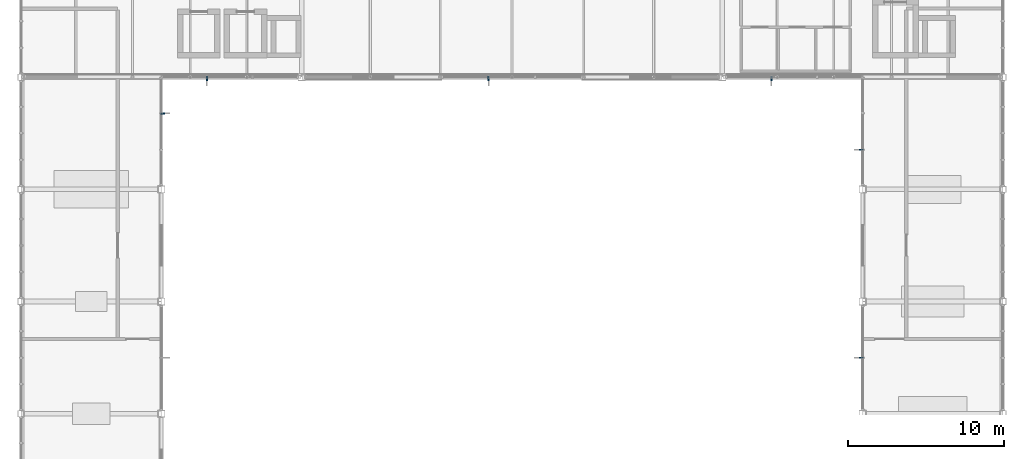
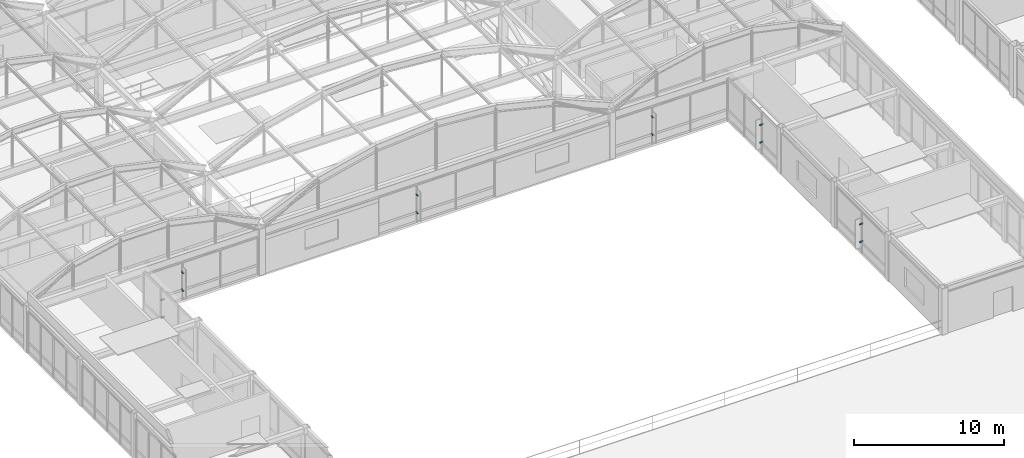
# One storey, part 95 of 106: 12 discrete accessories.
"""IFC4 building model written with IfcOpenShell, lengths in metres."""

import ifcopenshell
import ifcopenshell.guid

model = None  # the IFC model being written
_history = None  # IfcOwnerHistory: only IFC2X3 demands one
_inside = {}  # id of a spatial element -> (the spatial element, [elements in it])
_under = {}  # id of a project, library or spatial element -> (it, [spatial elements below it])
_declared = {}  # id of a project -> (the project, [libraries it declares])
_typed = {}  # id of a type object -> (the type object, [elements of that type])
_made_of = {}  # id of a material, layer set ... -> (it, [elements and type objects made of it])


def new_model(schema):
    """Start an empty IFC model of exactly this schema.

    Asked for "IFC4X3", IfcOpenShell would pick the latest addendum, in which some entities
    have other attributes; the version numbers below select the first issue.
    IFC2X3 requires an IfcOwnerHistory on every rooted entity: one is made here for all.
    """
    global model, _history
    if schema == "IFC4X3":
        model = ifcopenshell.file(schema_version=(4, 3, 0, 0))
    else:
        model = ifcopenshell.file(schema=schema)
    _inside.clear()
    _under.clear()
    _declared.clear()
    _typed.clear()
    _made_of.clear()
    _history = None
    if model.schema == "IFC2X3":
        org = make("IfcOrganization", Name="unknown")
        user = make(
            "IfcPersonAndOrganization",
            ThePerson=make("IfcPerson", FamilyName="unknown"),
            TheOrganization=org,
        )
        app = make(
            "IfcApplication",
            ApplicationDeveloper=org,
            Version="unknown",
            ApplicationFullName="unknown",
            ApplicationIdentifier="unknown",
        )
        _history = make(
            "IfcOwnerHistory",
            OwningUser=user,
            OwningApplication=app,
            ChangeAction="ADDED",
            CreationDate=0,
        )
    return model


def make(cls, **values):
    """One entity of the class cls with the attributes given. An attribute that is None is left unset."""
    return model.create_entity(
        cls, **{name: value for name, value in values.items() if value is not None}
    )


def rooted(cls, **values):
    """An entity with a GlobalId (a new one), such as an element, a storey or a relation."""
    return make(cls, GlobalId=ifcopenshell.guid.new(), OwnerHistory=_history, **values)


def si_unit(unit_type, name, prefix=None):
    """IfcSIUnit, for example si_unit("LENGTHUNIT", "METRE", prefix="MILLI")."""
    return make("IfcSIUnit", UnitType=unit_type, Prefix=prefix, Name=name)


def assignment(units):
    """IfcUnitAssignment: the units of a project."""
    return None if units is None else make("IfcUnitAssignment", Units=units)


def point(xyz):
    """IfcCartesianPoint."""
    return None if xyz is None else make("IfcCartesianPoint", Coordinates=xyz)


def direction(xyz):
    """IfcDirection."""
    return None if xyz is None else make("IfcDirection", DirectionRatios=xyz)


def frame(location, z_axis=None, x_axis=None):
    """IfcAxis2Placement3D, a coordinate frame: its origin and axes. An axis left out is left unset."""
    return make(
        "IfcAxis2Placement3D",
        Location=point(location),
        Axis=direction(z_axis),
        RefDirection=direction(x_axis),
    )


def frame_2d(location, x_axis=None):
    """IfcAxis2Placement2D, a coordinate frame in the plane: its origin and x axis."""
    return make(
        "IfcAxis2Placement2D", Location=point(location), RefDirection=direction(x_axis)
    )


def origin():
    """The frame at (0, 0, 0) with its axes left unset."""
    return frame((0.0, 0.0, 0.0))


def origin_2d():
    """The frame at (0, 0) in the plane with its x axis left unset."""
    return frame_2d((0.0, 0.0))


def place(relative_to, where):
    """IfcLocalPlacement: puts the frame where relative to a parent placement (None: the world)."""
    return make(
        "IfcLocalPlacement", PlacementRelTo=relative_to, RelativePlacement=where
    )


def context(
    kind, dimensions, precision=None, world=None, true_north=None, identifier=None
):
    """IfcGeometricRepresentationContext, for example the 3D "Model" context."""
    return make(
        "IfcGeometricRepresentationContext",
        ContextIdentifier=identifier,
        ContextType=kind,
        CoordinateSpaceDimension=dimensions,
        Precision=precision,
        WorldCoordinateSystem=world,
        TrueNorth=true_north,
    )


def subcontext(parent, identifier, kind, view, scale=None):
    """IfcGeometricRepresentationSubContext, for example "Body" below "Model"."""
    return make(
        "IfcGeometricRepresentationSubContext",
        ContextIdentifier=identifier,
        ContextType=kind,
        ParentContext=parent,
        TargetScale=scale,
        TargetView=view,
    )


def project(units=None, contexts=None):
    """IfcProject with its units and contexts."""
    return rooted(
        "IfcProject",
        Name="project",
        RepresentationContexts=contexts,
        UnitsInContext=assignment(units),
    )


def spatial(cls, under=None, at=None, **own):
    """A site, building, storey or space (cls), placed at a placement, below another one or the project."""
    s = rooted(cls, ObjectPlacement=at, **own)
    if under is not None:
        _under.setdefault(under.id(), (under, []))[1].append(s)
    return s


def profile(cls, at=None, kind="AREA", **sizes):
    """A parametric profile (cls). Its sizes go by their IFC names, for example OverallWidth=200.0."""
    return make(cls, ProfileType=kind, Position=at, **sizes)


def rectangle(**sizes):
    """IfcRectangleProfileDef."""
    return profile("IfcRectangleProfileDef", **sizes)


def extrude(swept, where, along, depth):
    """IfcExtrudedAreaSolid: the profile swept, set in the frame where, extruded along a direction by depth."""
    return make(
        "IfcExtrudedAreaSolid",
        SweptArea=swept,
        Position=where,
        ExtrudedDirection=direction(along),
        Depth=depth,
    )


def shape(context_of_items, identifier, shape_type, items):
    """IfcShapeRepresentation: the items that make up one representation, for example the "Body"."""
    return make(
        "IfcShapeRepresentation",
        ContextOfItems=context_of_items,
        RepresentationIdentifier=identifier,
        RepresentationType=shape_type,
        Items=items,
    )


def material(Name=None, Category=None):
    """IfcMaterial."""
    return make("IfcMaterial", Name=Name, Category=Category)


def made_of(thing, what):
    """Note that an element or type object is made of a material, layer set ...; save() writes the relation."""
    if what is not None:
        _made_of.setdefault(what.id(), (what, []))[1].append(thing)
    return thing


def type_object(cls, material=None, **own):
    """A type object (cls), such as IfcWallType, which elements share."""
    return made_of(rooted(cls, **own), material)


def element(
    cls,
    number,
    at=None,
    inside=None,
    cuts=None,
    type_object=None,
    material=None,
    context=None,
    identifier="Body",
    shape_type=None,
    held_by="IfcProductDefinitionShape",
    body=None,
    shapes=None,
    **own,
):
    """One element of the class cls, such as IfcWall. Its Tag is "e" and its number.

    at: its placement. inside: the storey or other place that contains it. cuts: it is an
    opening in that element (IfcRelVoidsElement). A single representation is given by context,
    identifier, shape_type and body (its items); several are given by shapes. held_by: the class
    of the entity that holds the representations. save() writes the other relations.
    """
    e = rooted(cls, Tag="e%d" % number, ObjectPlacement=at, **own)
    if body is not None:
        shapes = [shape(context, identifier, shape_type, body)]
    if shapes is not None:
        e.Representation = make(held_by, Representations=shapes)
    if inside is not None:
        _inside.setdefault(inside.id(), (inside, []))[1].append(e)
    if cuts is not None:
        rooted(
            "IfcRelVoidsElement", RelatingBuildingElement=cuts, RelatedOpeningElement=e
        )
    if type_object is not None:
        _typed.setdefault(type_object.id(), (type_object, []))[1].append(e)
    return made_of(e, material)


def aggregate(whole, parts):
    """IfcRelAggregates: a whole, such as a stair, and the parts it consists of."""
    return rooted("IfcRelAggregates", RelatingObject=whole, RelatedObjects=parts)


def save(model, path):
    """Write the relations noted so far, then the file.

    IfcRelAggregates (storeys below a building ...), IfcRelContainedInSpatialStructure (elements
    in a storey), IfcRelDefinesByType, IfcRelAssociatesMaterial and IfcRelDeclares: one each for
    every whole, place, type object, material and project.
    """
    for whole, parts in _under.values():
        aggregate(whole, parts)
    for where, things in _inside.values():
        rooted(
            "IfcRelContainedInSpatialStructure",
            RelatedElements=things,
            RelatingStructure=where,
        )
    for kind, things in _typed.values():
        rooted("IfcRelDefinesByType", RelatedObjects=things, RelatingType=kind)
    for what, things in _made_of.values():
        rooted("IfcRelAssociatesMaterial", RelatedObjects=things, RelatingMaterial=what)
    for by, libraries in _declared.values():
        rooted("IfcRelDeclares", RelatingContext=by, RelatedDefinitions=libraries)
    model.write(path)


model = new_model("IFC4")

# Units and contexts
model_context = context("Model", 3, precision=1e-05, world=origin(), true_north=direction((0.0, 1.0)))
body_context = subcontext(model_context, "Body", "Model", "MODEL_VIEW")
ifc_project = project(units=[si_unit("LENGTHUNIT", "METRE"), si_unit("AREAUNIT", "SQUARE_METRE"), si_unit("VOLUMEUNIT", "CUBIC_METRE"), si_unit("PLANEANGLEUNIT", "RADIAN"), si_unit("MASSUNIT", "GRAM", prefix="KILO")], contexts=[model_context])

# Site, building, storey
site_placement = place(None, origin())
site = spatial("IfcSite", under=ifc_project, at=site_placement, CompositionType="ELEMENT")
building_placement = place(site_placement, origin())
building = spatial("IfcBuilding", under=site, at=building_placement, Name="Kazanami Central Library", CompositionType="ELEMENT")
storey_placement = place(building_placement, frame((0.0, 0.0, 12.800048828125)))
storey = spatial("IfcBuildingStorey", under=building, at=storey_placement, Name="L04", CompositionType="ELEMENT", Elevation=12.800048828125)

# Discrete accessories
ifc_material = material(Name="Stainless Steel SUS304", Category="steel")
discrete_accessory_type = type_object("IfcDiscreteAccessoryType", Name="ACC-BRK-1", PredefinedType="BRACKET", material=ifc_material)
for number, where, z_axis, x_axis, name in (
    (1, (56.925048828125, 64.7099609375, 0.780029296875), (0.0, 0.0, 1.0), (1.0, 0.0, 0.0), "Solar Fin Outrigger Bracket L04 S-K-06.1.1"),
    (2, (56.925048828125, 64.7099609375, 2.219970703125), (0.0, 0.0, 1.0), (1.0, 0.0, 0.0), "Solar Fin Outrigger Bracket L04 S-K-06.1.2"),
    (3, (75.0, 64.7099609375, 0.780029296875), (0.0, 0.0, 1.0), (1.0, 0.0, 0.0), "Solar Fin Outrigger Bracket L04 S-K-08.1.1"),
    (4, (75.0, 64.7099609375, 2.219970703125), (0.0, 0.0, 1.0), (1.0, 0.0, 0.0), "Solar Fin Outrigger Bracket L04 S-K-08.1.2"),
    (5, (93.14990234375, 64.7099609375, 0.780029296875), (0.0, 0.0, 1.0), (1.0, 0.0, 0.0), "Solar Fin Outrigger Bracket L04 S-K-10.1.1"),
    (6, (93.14990234375, 64.7099609375, 2.219970703125), (0.0, 0.0, 1.0), (1.0, 0.0, 0.0), "Solar Fin Outrigger Bracket L04 S-K-10.1.2"),
    (7, (54.090087890625, 62.47509765625, 0.905029296875), (0.0, 0.0, 1.0), (0.0, -1.0, 0.0), "Solar Fin Outrigger Bracket L04 E-7-08.1.1"),
    (8, (54.090087890625, 62.47509765625, 2.344970703125), (0.0, 0.0, 1.0), (0.0, -1.0, 0.0), "Solar Fin Outrigger Bracket L04 E-7-08.1.2"),
    (9, (98.909912109375, 46.800048828125, 0.905029296875), (0.0, 0.0, 1.0), (0.0, 1.0, 0.0), "Solar Fin Outrigger Bracket L04 W-12-06.1.1"),
    (10, (98.909912109375, 46.800048828125, 2.344970703125), (0.0, 0.0, 1.0), (0.0, 1.0, 0.0), "Solar Fin Outrigger Bracket L04 W-12-06.1.2"),
    (11, (98.909912109375, 60.14990234375, 0.905029296875), (0.0, 0.0, 1.0), (0.0, 1.0, 0.0), "Solar Fin Outrigger Bracket L04 W-12-08.1.1"),
    (12, (98.909912109375, 60.14990234375, 2.344970703125), (0.0, 0.0, 1.0), (0.0, 1.0, 0.0), "Solar Fin Outrigger Bracket L04 W-12-08.1.2"),
):
    element("IfcDiscreteAccessory", number, at=place(storey_placement, frame(where, z_axis=z_axis, x_axis=x_axis)), inside=storey, type_object=discrete_accessory_type, Name=name, PredefinedType="BRACKET", context=body_context, shape_type="SweptSolid", body=[
        extrude(rectangle(XDim=0.080078125, YDim=0.280029296875, at=origin_2d()), origin(), (0.0, 0.0, 1.0), 0.080078125),
    ])

save(model, "model.ifc")
